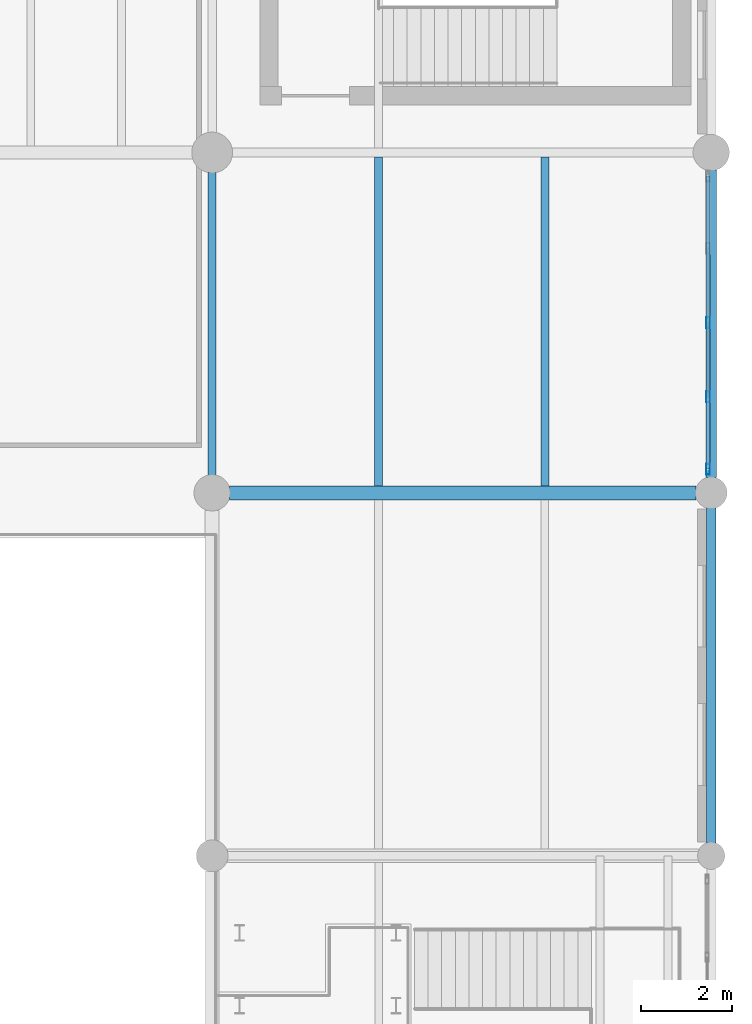
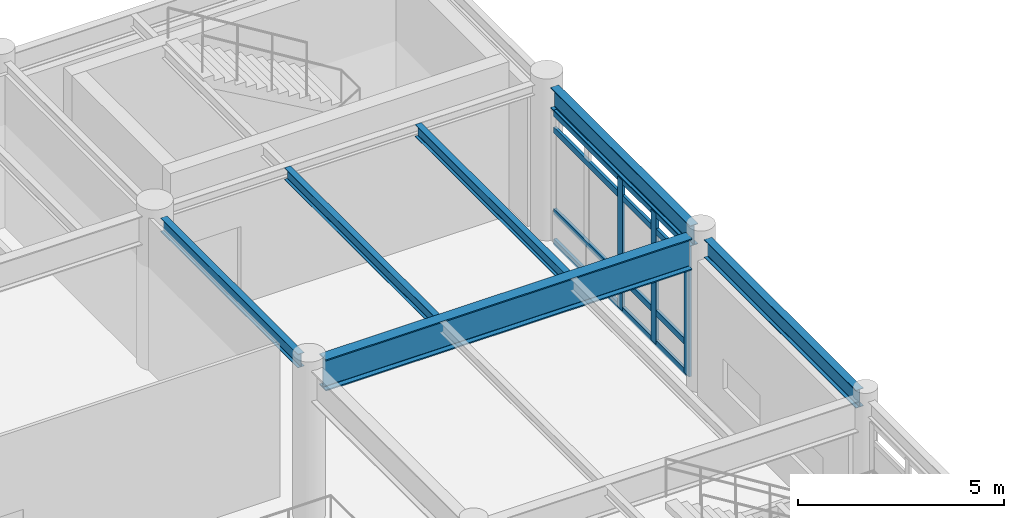
# One storey, part 131 of 200: 7 members, 6 beams, 1 element without a shape of its own.
"""IFC4 building model written with IfcOpenShell, lengths in metres."""

import ifcopenshell
import ifcopenshell.guid

model = None  # the IFC model being written
_history = None  # IfcOwnerHistory: only IFC2X3 demands one
_inside = {}  # id of a spatial element -> (the spatial element, [elements in it])
_under = {}  # id of a project, library or spatial element -> (it, [spatial elements below it])
_declared = {}  # id of a project -> (the project, [libraries it declares])
_typed = {}  # id of a type object -> (the type object, [elements of that type])
_made_of = {}  # id of a material, layer set ... -> (it, [elements and type objects made of it])


def new_model(schema):
    """Start an empty IFC model of exactly this schema.

    Asked for "IFC4X3", IfcOpenShell would pick the latest addendum, in which some entities
    have other attributes; the version numbers below select the first issue.
    IFC2X3 requires an IfcOwnerHistory on every rooted entity: one is made here for all.
    """
    global model, _history
    if schema == "IFC4X3":
        model = ifcopenshell.file(schema_version=(4, 3, 0, 0))
    else:
        model = ifcopenshell.file(schema=schema)
    _inside.clear()
    _under.clear()
    _declared.clear()
    _typed.clear()
    _made_of.clear()
    _history = None
    if model.schema == "IFC2X3":
        org = make("IfcOrganization", Name="unknown")
        user = make(
            "IfcPersonAndOrganization",
            ThePerson=make("IfcPerson", FamilyName="unknown"),
            TheOrganization=org,
        )
        app = make(
            "IfcApplication",
            ApplicationDeveloper=org,
            Version="unknown",
            ApplicationFullName="unknown",
            ApplicationIdentifier="unknown",
        )
        _history = make(
            "IfcOwnerHistory",
            OwningUser=user,
            OwningApplication=app,
            ChangeAction="ADDED",
            CreationDate=0,
        )
    return model


def make(cls, **values):
    """One entity of the class cls with the attributes given. An attribute that is None is left unset."""
    return model.create_entity(
        cls, **{name: value for name, value in values.items() if value is not None}
    )


def rooted(cls, **values):
    """An entity with a GlobalId (a new one), such as an element, a storey or a relation."""
    return make(cls, GlobalId=ifcopenshell.guid.new(), OwnerHistory=_history, **values)


def si_unit(unit_type, name, prefix=None):
    """IfcSIUnit, for example si_unit("LENGTHUNIT", "METRE", prefix="MILLI")."""
    return make("IfcSIUnit", UnitType=unit_type, Prefix=prefix, Name=name)


def assignment(units):
    """IfcUnitAssignment: the units of a project."""
    return None if units is None else make("IfcUnitAssignment", Units=units)


def point(xyz):
    """IfcCartesianPoint."""
    return None if xyz is None else make("IfcCartesianPoint", Coordinates=xyz)


def direction(xyz):
    """IfcDirection."""
    return None if xyz is None else make("IfcDirection", DirectionRatios=xyz)


def frame(location, z_axis=None, x_axis=None):
    """IfcAxis2Placement3D, a coordinate frame: its origin and axes. An axis left out is left unset."""
    return make(
        "IfcAxis2Placement3D",
        Location=point(location),
        Axis=direction(z_axis),
        RefDirection=direction(x_axis),
    )


def frame_2d(location, x_axis=None):
    """IfcAxis2Placement2D, a coordinate frame in the plane: its origin and x axis."""
    return make(
        "IfcAxis2Placement2D", Location=point(location), RefDirection=direction(x_axis)
    )


def origin():
    """The frame at (0, 0, 0) with its axes left unset."""
    return frame((0.0, 0.0, 0.0))


def origin_2d():
    """The frame at (0, 0) in the plane with its x axis left unset."""
    return frame_2d((0.0, 0.0))


def place(relative_to, where):
    """IfcLocalPlacement: puts the frame where relative to a parent placement (None: the world)."""
    return make(
        "IfcLocalPlacement", PlacementRelTo=relative_to, RelativePlacement=where
    )


def context(
    kind, dimensions, precision=None, world=None, true_north=None, identifier=None
):
    """IfcGeometricRepresentationContext, for example the 3D "Model" context."""
    return make(
        "IfcGeometricRepresentationContext",
        ContextIdentifier=identifier,
        ContextType=kind,
        CoordinateSpaceDimension=dimensions,
        Precision=precision,
        WorldCoordinateSystem=world,
        TrueNorth=true_north,
    )


def subcontext(parent, identifier, kind, view, scale=None):
    """IfcGeometricRepresentationSubContext, for example "Body" below "Model"."""
    return make(
        "IfcGeometricRepresentationSubContext",
        ContextIdentifier=identifier,
        ContextType=kind,
        ParentContext=parent,
        TargetScale=scale,
        TargetView=view,
    )


def project(units=None, contexts=None):
    """IfcProject with its units and contexts."""
    return rooted(
        "IfcProject",
        Name="project",
        RepresentationContexts=contexts,
        UnitsInContext=assignment(units),
    )


def spatial(cls, under=None, at=None, **own):
    """A site, building, storey or space (cls), placed at a placement, below another one or the project."""
    s = rooted(cls, ObjectPlacement=at, **own)
    if under is not None:
        _under.setdefault(under.id(), (under, []))[1].append(s)
    return s


def profile(cls, at=None, kind="AREA", **sizes):
    """A parametric profile (cls). Its sizes go by their IFC names, for example OverallWidth=200.0."""
    return make(cls, ProfileType=kind, Position=at, **sizes)


def hollow_rectangle(**sizes):
    """IfcRectangleHollowProfileDef."""
    return profile("IfcRectangleHollowProfileDef", **sizes)


def i_section(**sizes):
    """IfcIShapeProfileDef."""
    return profile("IfcIShapeProfileDef", **sizes)


def extrude(swept, where, along, depth):
    """IfcExtrudedAreaSolid: the profile swept, set in the frame where, extruded along a direction by depth."""
    return make(
        "IfcExtrudedAreaSolid",
        SweptArea=swept,
        Position=where,
        ExtrudedDirection=direction(along),
        Depth=depth,
    )


def shape(context_of_items, identifier, shape_type, items):
    """IfcShapeRepresentation: the items that make up one representation, for example the "Body"."""
    return make(
        "IfcShapeRepresentation",
        ContextOfItems=context_of_items,
        RepresentationIdentifier=identifier,
        RepresentationType=shape_type,
        Items=items,
    )


def material(Name=None, Category=None):
    """IfcMaterial."""
    return make("IfcMaterial", Name=Name, Category=Category)


def material_profile(
    of_material, cross_section, Name=None, Category=None, Priority=None
):
    """IfcMaterialProfile: a cross section and its material."""
    return make(
        "IfcMaterialProfile",
        Name=Name,
        Material=of_material,
        Profile=cross_section,
        Priority=Priority,
        Category=Category,
    )


def profile_set(profiles, Name=None, composite=None):
    """IfcMaterialProfileSet."""
    return make(
        "IfcMaterialProfileSet",
        Name=Name,
        MaterialProfiles=profiles,
        CompositeProfile=composite,
    )


def made_of(thing, what):
    """Note that an element or type object is made of a material, layer set ...; save() writes the relation."""
    if what is not None:
        _made_of.setdefault(what.id(), (what, []))[1].append(thing)
    return thing


def type_object(cls, material=None, **own):
    """A type object (cls), such as IfcWallType, which elements share."""
    return made_of(rooted(cls, **own), material)


def element(
    cls,
    number,
    at=None,
    inside=None,
    cuts=None,
    type_object=None,
    material=None,
    context=None,
    identifier="Body",
    shape_type=None,
    held_by="IfcProductDefinitionShape",
    body=None,
    shapes=None,
    **own,
):
    """One element of the class cls, such as IfcWall. Its Tag is "e" and its number.

    at: its placement. inside: the storey or other place that contains it. cuts: it is an
    opening in that element (IfcRelVoidsElement). A single representation is given by context,
    identifier, shape_type and body (its items); several are given by shapes. held_by: the class
    of the entity that holds the representations. save() writes the other relations.
    """
    e = rooted(cls, Tag="e%d" % number, ObjectPlacement=at, **own)
    if body is not None:
        shapes = [shape(context, identifier, shape_type, body)]
    if shapes is not None:
        e.Representation = make(held_by, Representations=shapes)
    if inside is not None:
        _inside.setdefault(inside.id(), (inside, []))[1].append(e)
    if cuts is not None:
        rooted(
            "IfcRelVoidsElement", RelatingBuildingElement=cuts, RelatedOpeningElement=e
        )
    if type_object is not None:
        _typed.setdefault(type_object.id(), (type_object, []))[1].append(e)
    return made_of(e, material)


def aggregate(whole, parts):
    """IfcRelAggregates: a whole, such as a stair, and the parts it consists of."""
    return rooted("IfcRelAggregates", RelatingObject=whole, RelatedObjects=parts)


def save(model, path):
    """Write the relations noted so far, then the file.

    IfcRelAggregates (storeys below a building ...), IfcRelContainedInSpatialStructure (elements
    in a storey), IfcRelDefinesByType, IfcRelAssociatesMaterial and IfcRelDeclares: one each for
    every whole, place, type object, material and project.
    """
    for whole, parts in _under.values():
        aggregate(whole, parts)
    for where, things in _inside.values():
        rooted(
            "IfcRelContainedInSpatialStructure",
            RelatedElements=things,
            RelatingStructure=where,
        )
    for kind, things in _typed.values():
        rooted("IfcRelDefinesByType", RelatedObjects=things, RelatingType=kind)
    for what, things in _made_of.values():
        rooted("IfcRelAssociatesMaterial", RelatedObjects=things, RelatingMaterial=what)
    for by, libraries in _declared.values():
        rooted("IfcRelDeclares", RelatingContext=by, RelatedDefinitions=libraries)
    model.write(path)


model = new_model("IFC4")

# Units and contexts
model_context = context("Model", 3, precision=1e-05, world=origin(), true_north=direction((0.0, 1.0)))
body_context = subcontext(model_context, "Body", "Model", "MODEL_VIEW")
ifc_project = project(units=[si_unit("LENGTHUNIT", "METRE"), si_unit("AREAUNIT", "SQUARE_METRE"), si_unit("VOLUMEUNIT", "CUBIC_METRE"), si_unit("PLANEANGLEUNIT", "RADIAN"), si_unit("MASSUNIT", "GRAM", prefix="KILO"), si_unit("THERMODYNAMICTEMPERATUREUNIT", "KELVIN"), si_unit("POWERUNIT", "WATT")], contexts=[model_context])

# Site, building, storey
site_placement = place(None, origin())
site = spatial("IfcSite", under=ifc_project, at=site_placement, CompositionType="ELEMENT")
building_placement = place(site_placement, origin())
building = spatial("IfcBuilding", under=site, at=building_placement, Name="Tepalcoro Natatorium and Aquatics Centre", CompositionType="ELEMENT")
storey_placement = place(building_placement, frame((0.0, 0.0, 5.39990234375)))
storey = spatial("IfcBuildingStorey", under=building, at=storey_placement, Name="L01", CompositionType="ELEMENT", Elevation=5.39990234375)

# Beams
ifc_material_1 = material(Name="Steel ASTM A992 Grade 50 (Fy 345 MPa)", Category="steel")
ifc_material_profile_1 = material_profile(ifc_material_1, i_section(OverallWidth=0.177978515625, OverallDepth=0.406005859375, WebThickness=0.008056640625, FlangeThickness=0.012939453125, FilletRadius=0.013916015625, at=origin_2d()), Name="W16X40")
ifc_profile_set_1 = profile_set([ifc_material_profile_1], Name="Steel ASTM A992 Grade 50 (Fy 345 MPa)")
beam_type_1 = type_object("IfcBeamType", Name="BM_W16x40", PredefinedType="BEAM", material=ifc_profile_set_1)
beam_1_placement = place(storey_placement, frame((165.0, 44.385009765625, 4.342041015625), z_axis=(0.0, 1.0, 0.0), x_axis=(-1.0, 0.0, 0.0)))
element("IfcBeam", 1, at=beam_1_placement, inside=storey, type_object=beam_type_1, Name="V2 L01 Grid Girder Y", PredefinedType="BEAM", context=body_context, shape_type="SweptSolid", body=[
    extrude(i_section(OverallWidth=0.177978515625, OverallDepth=0.406005859375, WebThickness=0.008056640625, FlangeThickness=0.012939453125, FilletRadius=0.013916015625, at=origin_2d()), origin(), (0.0, 0.0, 1.0), 6.679931640625),
])
ifc_material_profile_2 = material_profile(ifc_material_1, i_section(OverallWidth=0.31005859375, OverallDepth=0.931884765625, WebThickness=0.02099609375, FlangeThickness=0.034912109375, FilletRadius=0.013916015625, at=origin_2d()), Name="W36X210")
ifc_profile_set_2 = profile_set([ifc_material_profile_2], Name="Steel ASTM A992 Grade 50 (Fy 345 MPa)")
beam_type_2 = type_object("IfcBeamType", Name="BM_W36x210", PredefinedType="BEAM", material=ifc_profile_set_2)
beam_2_placement = place(storey_placement, frame((165.385009765625, 44.0, 4.0791015625), z_axis=(1.0, 0.0, 0.0), x_axis=(0.0, 1.0, 0.0)))
element("IfcBeam", 2, at=beam_2_placement, inside=storey, type_object=beam_type_2, Name="V2 L01 Grid Girder X", PredefinedType="BEAM", context=body_context, shape_type="SweptSolid", body=[
    extrude(i_section(OverallWidth=0.31005859375, OverallDepth=0.931884765625, WebThickness=0.02099609375, FlangeThickness=0.034912109375, FilletRadius=0.013916015625, at=origin_2d()), origin(), (0.0, 0.0, 1.0), 10.280029296875),
])

# Curtain wall, members
ifc_material_2 = material(Name="Bronze-Anodised Extruded Aluminium Alloy EN AW-6063 T6", Category="aluminium")
curtain_wall_type = type_object("IfcCurtainWallType", Name="CW_V3_FOYER", PredefinedType="USERDEFINED", material=ifc_material_2)
curtain_wall_placement = place(storey_placement, origin())
curtain_wall = element("IfcCurtainWall", 3, at=curtain_wall_placement, inside=storey, type_object=curtain_wall_type, Name="V2 L01 E Unitised Curtain Wall Bay 6", ObjectType="UNITISED STOREFRONT", PredefinedType="USERDEFINED")
ifc_material_profile_3 = material_profile(ifc_material_2, hollow_rectangle(XDim=0.080078125, YDim=0.239990234375, WallThickness=0.0048828125, at=origin_2d()), Name="AL80X240X5")
ifc_profile_set_3 = profile_set([ifc_material_profile_3], Name="Bronze-Anodised Extruded Aluminium Alloy EN AW-6063 T6")
member_type_1 = type_object("IfcMemberType", Name="CW_MUL_80x240", PredefinedType="MULLION", material=ifc_profile_set_3)
member_1_placement = place(storey_placement, frame((175.9287109375, 44.52001953125, 0.02001953125), z_axis=(0.0, 0.0, 1.0), x_axis=(1.0, 0.0, 0.0)))
member_1 = element("IfcMember", 4, at=member_1_placement, type_object=member_type_1, Name="CW_V3_FOYER Curtain Wall Mullion", PredefinedType="MULLION", context=body_context, shape_type="SweptSolid", body=[
    extrude(hollow_rectangle(XDim=0.080078125, YDim=0.239990234375, WallThickness=0.0048828125, at=origin_2d()), origin(), (0.0, 0.0, 1.0), 3.878173828125),
])
member_2_placement = place(storey_placement, frame((175.9287109375, 46.114990234375, 0.02001953125), z_axis=(0.0, 0.0, 1.0), x_axis=(1.0, 0.0, 0.0)))
member_2 = element("IfcMember", 5, at=member_2_placement, type_object=member_type_1, Name="CW_V3_FOYER Curtain Wall Mullion", PredefinedType="MULLION", context=body_context, shape_type="SweptSolid", body=[
    extrude(hollow_rectangle(XDim=0.080078125, YDim=0.239990234375, WallThickness=0.0048828125, at=origin_2d()), origin(), (0.0, 0.0, 1.0), 3.878173828125),
])
member_3_placement = place(storey_placement, frame((175.9287109375, 47.75, 0.02001953125), z_axis=(0.0, 0.0, 1.0), x_axis=(1.0, 0.0, 0.0)))
member_3 = element("IfcMember", 6, at=member_3_placement, type_object=member_type_1, Name="CW_V3_FOYER Curtain Wall Mullion", PredefinedType="MULLION", context=body_context, shape_type="SweptSolid", body=[
    extrude(hollow_rectangle(XDim=0.080078125, YDim=0.239990234375, WallThickness=0.0048828125, at=origin_2d()), origin(), (0.0, 0.0, 1.0), 3.878173828125),
])
ifc_material_profile_4 = material_profile(ifc_material_2, hollow_rectangle(XDim=0.080078125, YDim=0.179931640625, WallThickness=0.0048828125, at=origin_2d()), Name="AL80X180X5")
ifc_profile_set_4 = profile_set([ifc_material_profile_4], Name="Bronze-Anodised Extruded Aluminium Alloy EN AW-6063 T6")
member_type_2 = type_object("IfcMemberType", Name="CW_TRN_80x180", PredefinedType="USERDEFINED", material=ifc_profile_set_4)
member_4_placement = place(storey_placement, frame((175.9287109375, 44.530029296875, 0.050048828125), z_axis=(0.0, 1.0, 0.0), x_axis=(-1.0, 0.0, 0.0)))
member_4 = element("IfcMember", 7, at=member_4_placement, type_object=member_type_2, Name="CW_V3_FOYER Curtain Wall Transom", ObjectType="TRANSOM", PredefinedType="USERDEFINED", context=body_context, shape_type="SweptSolid", body=[
    extrude(hollow_rectangle(XDim=0.080078125, YDim=0.179931640625, WallThickness=0.0048828125, at=origin_2d()), origin(), (0.0, 0.0, 1.0), 6.43994140625),
])
member_5_placement = place(storey_placement, frame((175.9287109375, 44.530029296875, 0.9501953125), z_axis=(0.0, 1.0, 0.0), x_axis=(-1.0, 0.0, 0.0)))
member_5 = element("IfcMember", 8, at=member_5_placement, type_object=member_type_2, Name="CW_V3_FOYER Curtain Wall Transom", ObjectType="TRANSOM", PredefinedType="USERDEFINED", context=body_context, shape_type="SweptSolid", body=[
    extrude(hollow_rectangle(XDim=0.080078125, YDim=0.179931640625, WallThickness=0.0048828125, at=origin_2d()), origin(), (0.0, 0.0, 1.0), 6.43994140625),
])
member_6_placement = place(storey_placement, frame((175.9287109375, 44.530029296875, 3.3681640625), z_axis=(0.0, 1.0, 0.0), x_axis=(-1.0, 0.0, 0.0)))
member_6 = element("IfcMember", 9, at=member_6_placement, type_object=member_type_2, Name="CW_V3_FOYER Curtain Wall Transom", ObjectType="TRANSOM", PredefinedType="USERDEFINED", context=body_context, shape_type="SweptSolid", body=[
    extrude(hollow_rectangle(XDim=0.080078125, YDim=0.179931640625, WallThickness=0.0048828125, at=origin_2d()), origin(), (0.0, 0.0, 1.0), 6.43994140625),
])
member_7_placement = place(storey_placement, frame((175.9287109375, 44.530029296875, 3.8681640625), z_axis=(0.0, 1.0, 0.0), x_axis=(-1.0, 0.0, 0.0)))
member_7 = element("IfcMember", 10, at=member_7_placement, type_object=member_type_2, Name="CW_V3_FOYER Curtain Wall Transom", ObjectType="TRANSOM", PredefinedType="USERDEFINED", context=body_context, shape_type="SweptSolid", body=[
    extrude(hollow_rectangle(XDim=0.080078125, YDim=0.179931640625, WallThickness=0.0048828125, at=origin_2d()), origin(), (0.0, 0.0, 1.0), 6.43994140625),
])
aggregate(curtain_wall, [member_1, member_2, member_3, member_4, member_5, member_6, member_7])

# Beams
ifc_material_profile_5 = material_profile(ifc_material_1, i_section(OverallWidth=0.1708984375, OverallDepth=0.35107421875, WebThickness=0.007080078125, FlangeThickness=0.010009765625, FilletRadius=0.013916015625, at=origin_2d()), Name="W14X30")
ifc_profile_set_5 = profile_set([ifc_material_profile_5], Name="Steel ASTM A992 Grade 50 (Fy 345 MPa)")
beam_type_3 = type_object("IfcBeamType", Name="JS_W14x30", PredefinedType="JOIST", material=ifc_profile_set_5)
beam_3_placement = place(storey_placement, frame((168.666748046875, 44.155029296875, 4.36962890625), z_axis=(0.0, 1.0, 0.0), x_axis=(-1.0, 0.0, 0.0)))
element("IfcBeam", 11, at=beam_3_placement, inside=storey, type_object=beam_type_3, Name="V2 L01 Floor Joist", PredefinedType="JOIST", context=body_context, shape_type="SweptSolid", body=[
    extrude(i_section(OverallWidth=0.1708984375, OverallDepth=0.35107421875, WebThickness=0.007080078125, FlangeThickness=0.010009765625, FilletRadius=0.013916015625, at=origin_2d()), origin(), (0.0, 0.0, 1.0), 7.243408203125),
])
ifc_material_profile_6 = material_profile(ifc_material_1, i_section(OverallWidth=0.172119140625, OverallDepth=0.35791015625, WebThickness=0.008056640625, FlangeThickness=0.012939453125, FilletRadius=0.013916015625, at=origin_2d()), Name="W14X38")
ifc_profile_set_6 = profile_set([ifc_material_profile_6], Name="Steel ASTM A992 Grade 50 (Fy 345 MPa)")
beam_type_4 = type_object("IfcBeamType", Name="JS_W14x38", PredefinedType="JOIST", material=ifc_profile_set_6)
beam_4_placement = place(storey_placement, frame((172.333251953125, 44.155029296875, 4.3662109375), z_axis=(0.0, 1.0, 0.0), x_axis=(-1.0, 0.0, 0.0)))
element("IfcBeam", 12, at=beam_4_placement, inside=storey, type_object=beam_type_4, Name="V2 L01 Floor Joist", PredefinedType="JOIST", context=body_context, shape_type="SweptSolid", body=[
    extrude(i_section(OverallWidth=0.172119140625, OverallDepth=0.35791015625, WebThickness=0.008056640625, FlangeThickness=0.012939453125, FilletRadius=0.013916015625, at=origin_2d()), origin(), (0.0, 0.0, 1.0), 7.243408203125),
])
ifc_material_profile_7 = material_profile(ifc_material_1, i_section(OverallWidth=0.2099609375, OverallDepth=0.535888671875, WebThickness=0.010986328125, FlangeThickness=0.01708984375, FilletRadius=0.013916015625, at=origin_2d()), Name="W21X68")
ifc_profile_set_7 = profile_set([ifc_material_profile_7], Name="Steel ASTM A992 Grade 50 (Fy 345 MPa)")
beam_type_5 = type_object("IfcBeamType", Name="SP_W21x68", PredefinedType="SPANDREL", material=ifc_profile_set_7)
beam_5_placement = place(storey_placement, frame((176.0, 36.284912109375, 4.277099609375), z_axis=(0.0, 1.0, 0.0), x_axis=(-1.0, 0.0, 0.0)))
element("IfcBeam", 13, at=beam_5_placement, inside=storey, type_object=beam_type_5, Name="V2 L01 Grid Girder Y", PredefinedType="SPANDREL", context=body_context, shape_type="SweptSolid", body=[
    extrude(i_section(OverallWidth=0.2099609375, OverallDepth=0.535888671875, WebThickness=0.010986328125, FlangeThickness=0.01708984375, FilletRadius=0.013916015625, at=origin_2d()), origin(), (0.0, 0.0, 1.0), 7.380126953125),
])
ifc_material_profile_8 = material_profile(ifc_material_1, i_section(OverallWidth=0.22900390625, OverallDepth=0.612060546875, WebThickness=0.011962890625, FlangeThickness=0.02001953125, FilletRadius=0.013916015625, at=origin_2d()), Name="W24X84")
ifc_profile_set_8 = profile_set([ifc_material_profile_8], Name="Steel ASTM A992 Grade 50 (Fy 345 MPa)")
beam_type_6 = type_object("IfcBeamType", Name="SP_W24x84", PredefinedType="SPANDREL", material=ifc_profile_set_8)
beam_6_placement = place(storey_placement, frame((176.0, 44.3349609375, 4.239013671875), z_axis=(0.0, 1.0, 0.0), x_axis=(-1.0, 0.0, 0.0)))
element("IfcBeam", 14, at=beam_6_placement, inside=storey, type_object=beam_type_6, Name="V2 L01 Grid Girder Y", PredefinedType="SPANDREL", context=body_context, shape_type="SweptSolid", body=[
    extrude(i_section(OverallWidth=0.22900390625, OverallDepth=0.612060546875, WebThickness=0.011962890625, FlangeThickness=0.02001953125, FilletRadius=0.013916015625, at=origin_2d()), origin(), (0.0, 0.0, 1.0), 6.780029296875),
])

save(model, "model.ifc")
